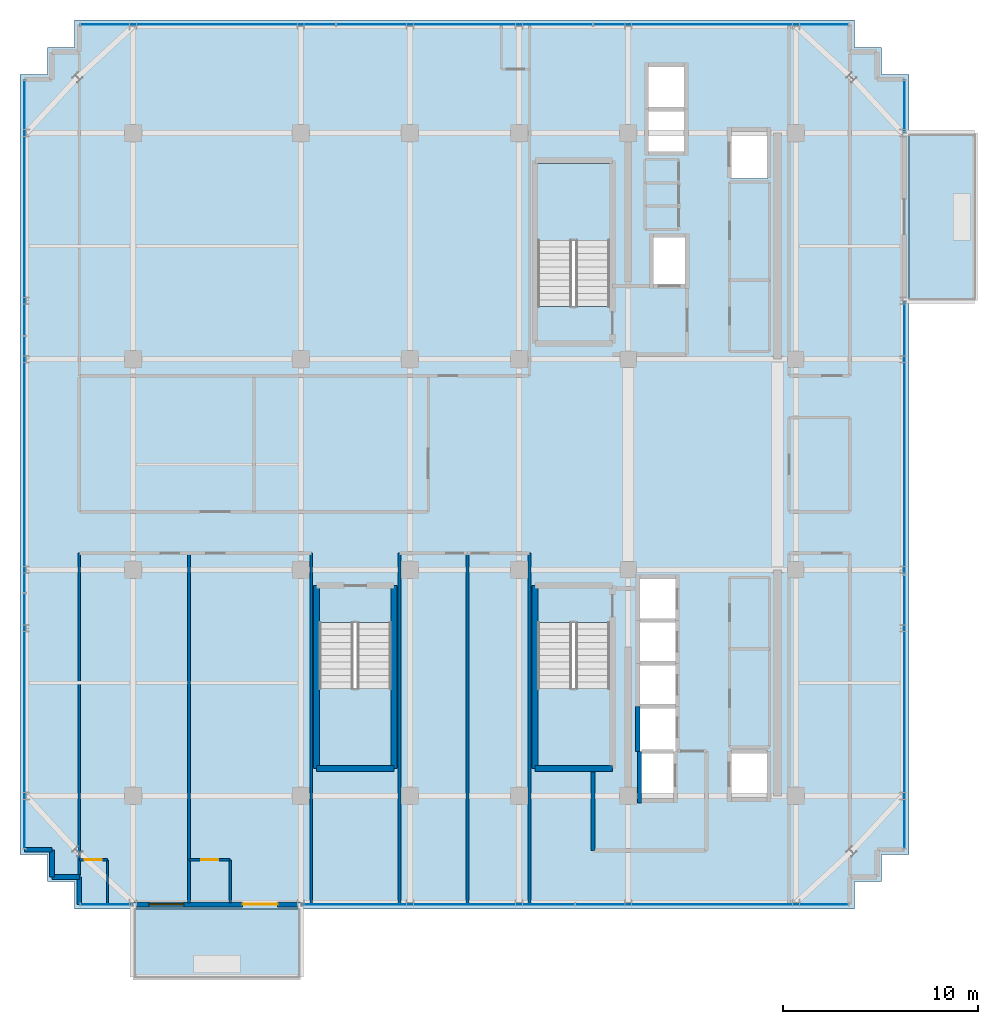
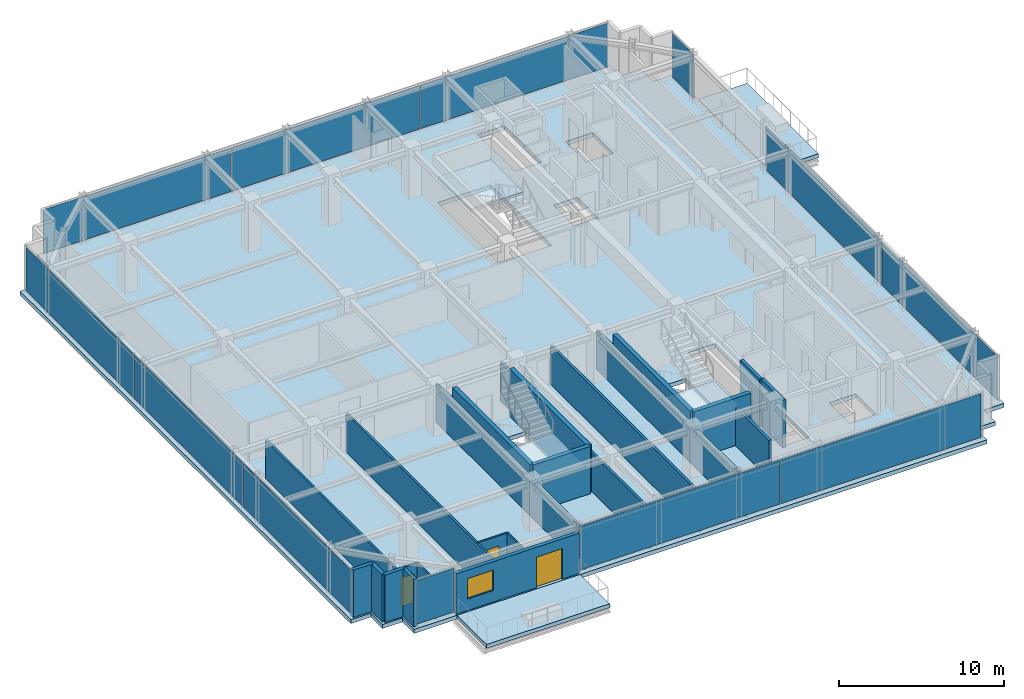
# One storey, part 26 of 33: 23 walls, 12 plates, 6 slabs, 3 doors, 1 window, 4 openings, 9 elements without a shape of their own.
"""IFC4 building model written with IfcOpenShell, lengths in metres."""

from ifc_helpers import new_model, si_unit, direction, frame, frame_2d, origin, origin_2d, place, context, subcontext, project, spatial, polyline, rectangle, outline, extrude, source, transform, mapped, material, layer, layer_set, type_object, element, fill, aggregate, save


model = new_model("IFC4")

# Units and contexts
model_context = context("Model", 3, precision=1e-05, world=origin(), true_north=direction((0.0, 1.0)))
body_context = subcontext(model_context, "Body", "Model", "MODEL_VIEW")
ifc_project = project(units=[si_unit("LENGTHUNIT", "METRE"), si_unit("AREAUNIT", "SQUARE_METRE"), si_unit("VOLUMEUNIT", "CUBIC_METRE"), si_unit("PLANEANGLEUNIT", "RADIAN"), si_unit("MASSUNIT", "GRAM", prefix="KILO")], contexts=[model_context])

# Site, building, storey
site_placement = place(None, origin())
site = spatial("IfcSite", under=ifc_project, at=site_placement, CompositionType="ELEMENT")
building_placement = place(site_placement, origin())
building = spatial("IfcBuilding", under=site, at=building_placement, Name="Nahalor Promenade Grand Hotel", CompositionType="ELEMENT")
storey_placement = place(building_placement, frame((0.0, 0.0, 315.75)))
storey = spatial("IfcBuildingStorey", under=building, at=storey_placement, Name="L81", CompositionType="ELEMENT", Elevation=315.75)

# Stair, slab
ifc_material_1 = material(Name="Concrete B-50 (C40/50)", Category="concrete")
stair_type_1 = type_object("IfcStairType", Name="Stair-ST1", PredefinedType="HALF_TURN_STAIR", material=ifc_material_1)
stair_1_placement = place(storey_placement, origin())
stair_1 = element("IfcStair", 1, at=stair_1_placement, inside=storey, type_object=stair_type_1, Name="L81 ST1", PredefinedType="HALF_TURN_STAIR")
ifc_layer_1 = layer(ifc_material_1, 0.199951171875)
ifc_layer_set_1 = layer_set([ifc_layer_1], Name="Concrete B-50 (C40/50)")
slab_type_1 = type_object("IfcSlabType", Name="Landing-ST1", PredefinedType="LANDING", material=ifc_layer_set_1)
slab_1_placement = place(storey_placement, frame((0.0, 0.0, 1.699951171875)))
slab_1 = element("IfcSlab", 2, at=slab_1_placement, type_object=slab_type_1, Name="ST1 landing 1", PredefinedType="LANDING", context=body_context, shape_type="SweptSolid", body=[
    extrude(outline(polyline([(7.449951171875, 11.5), (7.449951171875, 15.449951171875), (3.75, 15.449951171875), (3.75, 11.5), (7.449951171875, 11.5)])), origin(), (0.0, 0.0, 1.0), 0.199951171875),
])
aggregate(stair_1, [slab_1])

stair_type_2 = type_object("IfcStairType", Name="Stair-ST2", PredefinedType="HALF_TURN_STAIR", material=ifc_material_1)
stair_2_placement = place(storey_placement, origin())
stair_2 = element("IfcStair", 3, at=stair_2_placement, inside=storey, type_object=stair_type_2, Name="L81 ST2", PredefinedType="HALF_TURN_STAIR")
ifc_layer_2 = layer(ifc_material_1, 0.2099609375)
ifc_layer_set_2 = layer_set([ifc_layer_2], Name="Concrete B-50 (C40/50)")
slab_type_2 = type_object("IfcSlabType", Name="Landing-ST2", PredefinedType="LANDING", material=ifc_layer_set_2)
slab_2_placement = place(storey_placement, frame((0.0, 0.0, 1.68994140625)))
slab_2 = element("IfcSlab", 4, at=slab_2_placement, type_object=slab_type_2, Name="ST2 landing 1", PredefinedType="LANDING", context=body_context, shape_type="SweptSolid", body=[
    extrude(outline(polyline([(3.75, -11.5), (3.75, -15.449951171875), (7.449951171875, -15.449951171875), (7.449951171875, -11.5), (3.75, -11.5)])), origin(), (0.0, 0.0, 1.0), 0.2099609375),
])
aggregate(stair_2, [slab_2])

stair_type_3 = type_object("IfcStairType", Name="Stair-ST3", PredefinedType="HALF_TURN_STAIR", material=ifc_material_1)
stair_3_placement = place(storey_placement, origin())
stair_3 = element("IfcStair", 5, at=stair_3_placement, inside=storey, type_object=stair_type_3, Name="L81 ST3", PredefinedType="HALF_TURN_STAIR")
ifc_layer_3 = layer(ifc_material_1, 0.219970703125)
ifc_layer_set_3 = layer_set([ifc_layer_3], Name="Concrete B-50 (C40/50)")
slab_type_3 = type_object("IfcSlabType", Name="Landing-ST3", PredefinedType="LANDING", material=ifc_layer_set_3)
slab_3_placement = place(storey_placement, frame((0.0, 0.0, 1.679931640625)))
slab_3 = element("IfcSlab", 6, at=slab_3_placement, type_object=slab_type_3, Name="ST3 landing 1", PredefinedType="LANDING", context=body_context, shape_type="SweptSolid", body=[
    extrude(outline(polyline([(-7.449951171875, -11.5), (-7.449951171875, -15.449951171875), (-3.75, -15.449951171875), (-3.75, -11.5), (-7.449951171875, -11.5)])), origin(), (0.0, 0.0, 1.0), 0.219970703125),
])
aggregate(stair_3, [slab_3])

# Slabs
ifc_layer_4 = layer(ifc_material_1, 0.280029296875)
ifc_layer_set_4 = layer_set([ifc_layer_4], Name="Concrete B-50 (C40/50)")
slab_type_4 = type_object("IfcSlabType", Name="Slab-Balcony-280", PredefinedType="FLOOR", material=ifc_layer_set_4)
slab_4_placement = place(storey_placement, frame((0.0, 0.0, -0.280029296875)))
element("IfcSlab", 7, at=slab_4_placement, inside=storey, type_object=slab_type_4, Name="L81 Cantilevered Planted Balcony 1", PredefinedType="FLOOR", context=body_context, shape_type="SweptSolid", body=[
    extrude(outline(polyline([(-17.0, -26.3701171875), (-8.39990234375, -26.3701171875), (-8.39990234375, -22.800048828125), (-17.0, -22.800048828125), (-17.0, -26.3701171875)])), origin(), (0.0, 0.0, 1.0), 0.280029296875),
])
slab_5_placement = place(storey_placement, frame((0.0, 0.0, -0.280029296875)))
element("IfcSlab", 8, at=slab_5_placement, inside=storey, type_object=slab_type_4, Name="L81 Cantilevered Planted Balcony 2", PredefinedType="FLOOR", context=body_context, shape_type="SweptSolid", body=[
    extrude(outline(polyline([(22.800048828125, 8.39990234375), (26.25, 8.39990234375), (26.25, 17.0), (22.800048828125, 17.0), (22.800048828125, 8.39990234375)])), origin(), (0.0, 0.0, 1.0), 0.280029296875),
])
ifc_layer_5 = layer(ifc_material_1, 0.300048828125)
ifc_layer_set_5 = layer_set([ifc_layer_5], Name="Concrete B-50 (C40/50)")
slab_type_5 = type_object("IfcSlabType", Name="Slab-TowerZ5-300", PredefinedType="FLOOR", material=ifc_layer_set_5)
slab_6_placement = place(storey_placement, frame((0.0, 0.0, -0.300048828125)))
element("IfcSlab", 9, at=slab_6_placement, inside=storey, type_object=slab_type_5, Name="L81 Suspended Structural Floor Slab", PredefinedType="FLOOR", context=body_context, shape_type="SweptSolid", body=[
    extrude(outline(polyline([(-20.0, -22.800048828125), (20.0, -22.800048828125), (20.0, -21.39990234375), (21.39990234375, -21.39990234375), (21.39990234375, -20.0), (22.800048828125, -20.0), (22.800048828125, 20.0), (21.39990234375, 20.0), (21.39990234375, 21.39990234375), (20.0, 21.39990234375), (20.0, 22.800048828125), (-20.0, 22.800048828125), (-20.0, 21.39990234375), (-21.39990234375, 21.39990234375), (-21.39990234375, 20.0), (-22.800048828125, 20.0), (-22.800048828125, -20.0), (-21.39990234375, -20.0), (-21.39990234375, -21.39990234375), (-20.0, -21.39990234375), (-20.0, -22.800048828125)]), holes=[polyline([(3.75, 8.10009765625), (7.449951171875, 8.10009765625), (7.449951171875, 15.449951171875), (3.75, 15.449951171875), (3.75, 8.10009765625)]), polyline([(3.75, -15.449951171875), (7.449951171875, -15.449951171875), (7.449951171875, -8.10009765625), (3.75, -8.10009765625), (3.75, -15.449951171875)]), polyline([(-7.449951171875, -15.449951171875), (-3.75, -15.449951171875), (-3.75, -8.10009765625), (-7.449951171875, -8.10009765625), (-7.449951171875, -15.449951171875)]), polyline([(8.9599609375, -17.18994140625), (10.840087890625, -17.18994140625), (10.840087890625, -5.81005859375), (8.9599609375, -5.81005859375), (8.9599609375, -17.18994140625)]), polyline([(9.409912109375, 16.010009765625), (11.2900390625, 16.010009765625), (11.2900390625, 20.43994140625), (9.409912109375, 20.43994140625), (9.409912109375, 16.010009765625)]), polyline([(9.659912109375, 9.2099609375), (11.340087890625, 9.2099609375), (11.340087890625, 11.68994140625), (9.659912109375, 11.68994140625), (9.659912109375, 9.2099609375)]), polyline([(13.659912109375, 14.659912109375), (15.5400390625, 14.659912109375), (15.5400390625, 17.139892578125), (13.659912109375, 17.139892578125), (13.659912109375, 14.659912109375)]), polyline([(13.659912109375, -17.139892578125), (15.5400390625, -17.139892578125), (15.5400390625, -14.659912109375), (13.659912109375, -14.659912109375), (13.659912109375, -17.139892578125)])]), origin(), (0.0, 0.0, 1.0), 0.300048828125),
])

# Curtain wall, plate
ifc_material_2 = material(Name="Anodised Bronze Aluminium EN AW-6063 T6", Category="aluminium")
curtain_wall_type = type_object("IfcCurtainWallType", Name="CW2 Typical Hotel Flush Bronze Unitised Curtain Wall", PredefinedType="USERDEFINED", material=ifc_material_2)
curtain_wall_1_placement = place(storey_placement, origin())
curtain_wall_1 = element("IfcCurtainWall", 10, at=curtain_wall_1_placement, inside=storey, type_object=curtain_wall_type, Name="L81 Curtain Wall CW-L81-S-1", ObjectType="UNITISED_CURTAIN_WALL", PredefinedType="USERDEFINED")
ifc_material_3 = material(Name="Low-E Laminated Solar Glass", Category="glass")
ifc_layer_6 = layer(ifc_material_3, 0.028076171875)
ifc_layer_set_6 = layer_set([ifc_layer_6], Name="Low-E Laminated Solar Glass")
plate_type = type_object("IfcPlateType", Name="CWP2 Bronze Low-E Vision IGU 28mm", PredefinedType="CURTAIN_PANEL", material=ifc_layer_set_6)
shared_shape_1 = source(origin(), body_context, "Body", "SweptSolid", [
    extrude(rectangle(XDim=2.6298828125, YDim=0.028076171875, at=origin_2d()), origin(), (0.0, 0.0, 1.0), 3.239990234375),
])
plate_1_placement = place(storey_placement, frame((-18.3798828125, -22.56005859375, 0.1298828125), z_axis=(0.0, 0.0, 1.0), x_axis=(1.0, 0.0, 0.0)))
plate_1 = element("IfcPlate", 11, at=plate_1_placement, type_object=plate_type, Name="CW-L81-S-1 Glazing Panel 0-0", PredefinedType="CURTAIN_PANEL", context=body_context, shape_type="MappedRepresentation", body=[
    mapped(shared_shape_1, transform((0.0, 0.0, 0.0), scale=1.0)),
])
aggregate(curtain_wall_1, [plate_1])

curtain_wall_2_placement = place(storey_placement, origin())
curtain_wall_2 = element("IfcCurtainWall", 12, at=curtain_wall_2_placement, inside=storey, type_object=curtain_wall_type, Name="L81 Curtain Wall CW-L81-E-3", ObjectType="UNITISED_CURTAIN_WALL", PredefinedType="USERDEFINED")
plate_2_placement = place(storey_placement, frame((22.56005859375, 18.3798828125, 0.1298828125), z_axis=(0.0, 0.0, 1.0), x_axis=(0.0, 1.0, 0.0)))
plate_2 = element("IfcPlate", 13, at=plate_2_placement, type_object=plate_type, Name="CW-L81-E-3 Glazing Panel 0-0", PredefinedType="CURTAIN_PANEL", context=body_context, shape_type="MappedRepresentation", body=[
    mapped(shared_shape_1, transform((0.0, 0.0, 0.0), scale=1.0)),
])
aggregate(curtain_wall_2, [plate_2])

# Curtain wall, plates
curtain_wall_3_placement = place(storey_placement, origin())
curtain_wall_3 = element("IfcCurtainWall", 14, at=curtain_wall_3_placement, inside=storey, type_object=curtain_wall_type, Name="L81 Curtain Wall CW-L81-S-3", ObjectType="UNITISED_CURTAIN_WALL", PredefinedType="USERDEFINED")
shared_shape_2 = source(origin(), body_context, "Body", "SweptSolid", [
    extrude(rectangle(XDim=13.982421875, YDim=0.028076171875, at=origin_2d()), origin(), (0.0, 0.0, 1.0), 3.239990234375),
])
plate_3_placement = place(storey_placement, frame((-1.34375, -22.56005859375, 0.1298828125), z_axis=(0.0, 0.0, 1.0), x_axis=(1.0, 0.0, 0.0)))
plate_3 = element("IfcPlate", 15, at=plate_3_placement, type_object=plate_type, Name="CW-L81-S-3 Glazing Panel 0-0", PredefinedType="CURTAIN_PANEL", context=body_context, shape_type="MappedRepresentation", body=[
    mapped(shared_shape_2, transform((0.0, 0.0, 0.0), scale=1.0)),
])
plate_4_placement = place(storey_placement, frame((12.703857421875, -22.56005859375, 0.1298828125), z_axis=(0.0, 0.0, 1.0), x_axis=(1.0, 0.0, 0.0)))
plate_4 = element("IfcPlate", 16, at=plate_4_placement, type_object=plate_type, Name="CW-L81-S-3 Glazing Panel 1-0", PredefinedType="CURTAIN_PANEL", context=body_context, shape_type="MappedRepresentation", body=[
    mapped(shared_shape_2, transform((0.0, 0.0, 0.0), scale=1.0)),
])
aggregate(curtain_wall_3, [plate_3, plate_4])

curtain_wall_4_placement = place(storey_placement, origin())
curtain_wall_4 = element("IfcCurtainWall", 17, at=curtain_wall_4_placement, inside=storey, type_object=curtain_wall_type, Name="L81 Curtain Wall CW-L81-E-1", ObjectType="UNITISED_CURTAIN_WALL", PredefinedType="USERDEFINED")
plate_5_placement = place(storey_placement, frame((22.56005859375, -12.703857421875, 0.1298828125), z_axis=(0.0, 0.0, 1.0), x_axis=(0.0, 1.0, 0.0)))
plate_5 = element("IfcPlate", 18, at=plate_5_placement, type_object=plate_type, Name="CW-L81-E-1 Glazing Panel 0-0", PredefinedType="CURTAIN_PANEL", context=body_context, shape_type="MappedRepresentation", body=[
    mapped(shared_shape_2, transform((0.0, 0.0, 0.0), scale=1.0)),
])
plate_6_placement = place(storey_placement, frame((22.56005859375, 1.34375, 0.1298828125), z_axis=(0.0, 0.0, 1.0), x_axis=(0.0, 1.0, 0.0)))
plate_6 = element("IfcPlate", 19, at=plate_6_placement, type_object=plate_type, Name="CW-L81-E-1 Glazing Panel 1-0", PredefinedType="CURTAIN_PANEL", context=body_context, shape_type="MappedRepresentation", body=[
    mapped(shared_shape_2, transform((0.0, 0.0, 0.0), scale=1.0)),
])
aggregate(curtain_wall_4, [plate_5, plate_6])

curtain_wall_5_placement = place(storey_placement, origin())
curtain_wall_5 = element("IfcCurtainWall", 20, at=curtain_wall_5_placement, inside=storey, type_object=curtain_wall_type, Name="L81 Curtain Wall CW-L81-N-1", ObjectType="UNITISED_CURTAIN_WALL", PredefinedType="USERDEFINED")
shared_shape_3 = source(origin(), body_context, "Body", "SweptSolid", [
    extrude(rectangle(XDim=13.075927734375, YDim=0.028076171875, at=origin_2d()), origin(), (0.0, 0.0, 1.0), 3.239990234375),
])
plate_7_placement = place(storey_placement, frame((-13.156982421875, 22.56005859375, 0.1298828125), z_axis=(0.0, 0.0, 1.0), x_axis=(1.0, 0.0, 0.0)))
plate_7 = element("IfcPlate", 21, at=plate_7_placement, type_object=plate_type, Name="CW-L81-N-1 Glazing Panel 0-0", PredefinedType="CURTAIN_PANEL", context=body_context, shape_type="MappedRepresentation", body=[
    mapped(shared_shape_3, transform((0.0, 0.0, 0.0), scale=1.0)),
])
plate_8_placement = place(storey_placement, frame((13.156982421875, 22.56005859375, 0.1298828125), z_axis=(0.0, 0.0, 1.0), x_axis=(1.0, 0.0, 0.0)))
plate_8 = element("IfcPlate", 22, at=plate_8_placement, type_object=plate_type, Name="CW-L81-N-1 Glazing Panel 2-0", PredefinedType="CURTAIN_PANEL", context=body_context, shape_type="MappedRepresentation", body=[
    mapped(shared_shape_3, transform((0.0, 0.0, 0.0), scale=1.0)),
])

curtain_wall_6_placement = place(storey_placement, origin())
curtain_wall_6 = element("IfcCurtainWall", 23, at=curtain_wall_6_placement, inside=storey, type_object=curtain_wall_type, Name="L81 Curtain Wall CW-L81-W-1", ObjectType="UNITISED_CURTAIN_WALL", PredefinedType="USERDEFINED")
plate_9_placement = place(storey_placement, frame((-22.56005859375, -13.156982421875, 0.1298828125), z_axis=(0.0, 0.0, 1.0), x_axis=(0.0, 1.0, 0.0)))
plate_9 = element("IfcPlate", 24, at=plate_9_placement, type_object=plate_type, Name="CW-L81-W-1 Glazing Panel 0-0", PredefinedType="CURTAIN_PANEL", context=body_context, shape_type="MappedRepresentation", body=[
    mapped(shared_shape_3, transform((0.0, 0.0, 0.0), scale=1.0)),
])
plate_10_placement = place(storey_placement, frame((-22.56005859375, 13.156982421875, 0.1298828125), z_axis=(0.0, 0.0, 1.0), x_axis=(0.0, 1.0, 0.0)))
plate_10 = element("IfcPlate", 25, at=plate_10_placement, type_object=plate_type, Name="CW-L81-W-1 Glazing Panel 2-0", PredefinedType="CURTAIN_PANEL", context=body_context, shape_type="MappedRepresentation", body=[
    mapped(shared_shape_3, transform((0.0, 0.0, 0.0), scale=1.0)),
])

# Plate
shared_shape_4 = source(origin(), body_context, "Body", "SweptSolid", [
    extrude(rectangle(XDim=13.1083984375, YDim=0.028076171875, at=origin_2d()), origin(), (0.0, 0.0, 1.0), 3.239990234375),
])
plate_11_placement = place(storey_placement, frame((0.0, 22.56005859375, 0.1298828125), z_axis=(0.0, 0.0, 1.0), x_axis=(1.0, 0.0, 0.0)))
plate_11 = element("IfcPlate", 26, at=plate_11_placement, type_object=plate_type, Name="CW-L81-N-1 Glazing Panel 1-0", PredefinedType="CURTAIN_PANEL", context=body_context, shape_type="MappedRepresentation", body=[
    mapped(shared_shape_4, transform((0.0, 0.0, 0.0), scale=1.0)),
])

aggregate(curtain_wall_5, [plate_7, plate_11, plate_8])

plate_12_placement = place(storey_placement, frame((-22.56005859375, 0.0, 0.1298828125), z_axis=(0.0, 0.0, 1.0), x_axis=(0.0, 1.0, 0.0)))
plate_12 = element("IfcPlate", 27, at=plate_12_placement, type_object=plate_type, Name="CW-L81-W-1 Glazing Panel 1-0", PredefinedType="CURTAIN_PANEL", context=body_context, shape_type="MappedRepresentation", body=[
    mapped(shared_shape_4, transform((0.0, 0.0, 0.0), scale=1.0)),
])

aggregate(curtain_wall_6, [plate_9, plate_12, plate_10])

# Walls
ifc_layer_7 = layer(ifc_material_1, 0.300048828125)
ifc_layer_set_7 = layer_set([ifc_layer_7], Name="Concrete B-50 (C40/50)")
wall_type_1 = type_object("IfcWallType", Name="Wall-ShaftShear-300", PredefinedType="SHEAR", material=ifc_layer_set_7)
shared_shape_5 = source(origin(), body_context, "Body", "SweptSolid", [
    extrude(rectangle(XDim=3.97998046875, YDim=0.300048828125, at=frame_2d((1.989990234375, 0.0))), origin(), (0.0, 0.0, 1.0), 3.5),
])
for number, where, z_axis, x_axis, name in (
    (28, (3.610107421875, -15.590087890625, 0.0), (0.0, 0.0, 1.0), (1.0, 0.0, 0.0), "L81 Exit Stair ST2 Shaft Wall S"),
    (29, (-7.590087890625, -15.590087890625, 0.0), (0.0, 0.0, 1.0), (1.0, 0.0, 0.0), "L81 Exit Stair ST3 Shaft Wall S"),
):
    element("IfcWall", number, at=place(storey_placement, frame(where, z_axis=z_axis, x_axis=x_axis)), inside=storey, type_object=wall_type_1, Name=name, PredefinedType="SHEAR", context=body_context, shape_type="MappedRepresentation", body=[
        mapped(shared_shape_5, transform((0.0, 0.0, 0.0), scale=1.0)),
    ])
shared_shape_6 = source(origin(), body_context, "Body", "SweptSolid", [
    extrude(rectangle(XDim=9.380126953125, YDim=0.300048828125, at=frame_2d((4.68994140625, 0.0))), origin(), (0.0, 0.0, 1.0), 3.5),
])
for number, where, z_axis, x_axis, name in (
    (30, (3.610107421875, -15.590087890625, 0.0), (0.0, 0.0, 1.0), (0.0, 1.0, 0.0), "L81 Exit Stair ST2 Shaft Wall W"),
    (31, (-7.590087890625, -15.590087890625, 0.0), (0.0, 0.0, 1.0), (0.0, 1.0, 0.0), "L81 Exit Stair ST3 Shaft Wall W"),
    (32, (-3.610107421875, -15.590087890625, 0.0), (0.0, 0.0, 1.0), (0.0, 1.0, 0.0), "L81 Exit Stair ST3 Shaft Wall E"),
):
    element("IfcWall", number, at=place(storey_placement, frame(where, z_axis=z_axis, x_axis=x_axis)), inside=storey, type_object=wall_type_1, Name=name, PredefinedType="SHEAR", context=body_context, shape_type="MappedRepresentation", body=[
        mapped(shared_shape_6, transform((0.0, 0.0, 0.0), scale=1.0)),
    ])
ifc_layer_8 = layer(ifc_material_1, 0.219970703125)
ifc_layer_set_8 = layer_set([ifc_layer_8], Name="Concrete B-50 (C40/50)")
wall_type_2 = type_object("IfcWallType", Name="Wall-LiftShaft-220", PredefinedType="SHEAR", material=ifc_layer_set_8)
shared_shape_7 = source(origin(), body_context, "Body", "SweptSolid", [
    extrude(rectangle(XDim=2.3251953125, YDim=0.219970703125, at=frame_2d((1.16259765625, 0.0))), origin(), (0.0, 0.0, 1.0), 3.5),
])
wall_1_placement = place(storey_placement, frame((8.8798828125, -14.72509765625, 0.0), z_axis=(0.0, 0.0, 1.0), x_axis=(0.0, 1.0, 0.0)))
element("IfcWall", 33, at=wall_1_placement, inside=storey, type_object=wall_type_2, Name="L81 Lift PL12 Hoistway Wall W", PredefinedType="SHEAR", context=body_context, shape_type="MappedRepresentation", body=[
    mapped(shared_shape_7, transform((0.0, 0.0, 0.0), scale=1.0)),
])
shared_shape_8 = source(origin(), body_context, "Body", "SweptSolid", [
    extrude(rectangle(XDim=2.635009765625, YDim=0.219970703125, at=frame_2d((1.3173828125, 0.0))), origin(), (0.0, 0.0, 1.0), 3.5),
])
wall_2_placement = place(storey_placement, frame((8.97998046875, -17.360107421875, 0.0), z_axis=(0.0, 0.0, 1.0), x_axis=(0.0, 1.0, 0.0)))
element("IfcWall", 34, at=wall_2_placement, inside=storey, type_object=wall_type_2, Name="L81 Lift FL2 Hoistway Wall W", PredefinedType="SHEAR", context=body_context, shape_type="MappedRepresentation", body=[
    mapped(shared_shape_8, transform((0.0, 0.0, 0.0), scale=1.0)),
])
ifc_material_4 = material(Name="Concrete B-40 (C32/40)", Category="concrete")
ifc_layer_9 = layer(ifc_material_4, 0.25)
ifc_layer_set_9 = layer_set([ifc_layer_9], Name="Concrete B-40 (C32/40)")
wall_type_3 = type_object("IfcWallType", Name="Wall-BronzePier-250", PredefinedType="STANDARD", material=ifc_layer_set_9)
shared_shape_9 = source(origin(), body_context, "Body", "SweptSolid", [
    extrude(rectangle(XDim=1.400146484375, YDim=0.25, at=frame_2d((0.7001953125, 0.0))), origin(), (0.0, 0.0, 1.0), 3.5),
])
for number, where, z_axis, x_axis, name in (
    (35, (-22.56005859375, -19.760009765625, 0.0), (0.0, 0.0, 1.0), (1.0, 0.0, 0.0), "W-L81-SR-13"),
    (36, (-19.760009765625, -22.56005859375, 0.0), (0.0, 0.0, 1.0), (0.0, 1.0, 0.0), "W-L81-SR-16"),
):
    element("IfcWall", number, at=place(storey_placement, frame(where, z_axis=z_axis, x_axis=x_axis)), inside=storey, type_object=wall_type_3, Name=name, PredefinedType="STANDARD", context=body_context, shape_type="MappedRepresentation", body=[
        mapped(shared_shape_9, transform((0.0, 0.0, 0.0), scale=1.0)),
    ])
shared_shape_10 = source(origin(), body_context, "Body", "SweptSolid", [
    extrude(rectangle(XDim=1.39990234375, YDim=0.25, at=frame_2d((0.699951171875, 0.0))), origin(), (0.0, 0.0, 1.0), 3.5),
])
for number, where, z_axis, x_axis, name in (
    (37, (-21.159912109375, -21.159912109375, 0.0), (0.0, 0.0, 1.0), (0.0, 1.0, 0.0), "W-L81-SR-14"),
    (38, (-21.159912109375, -21.159912109375, 0.0), (0.0, 0.0, 1.0), (1.0, 0.0, 0.0), "W-L81-SR-15"),
):
    element("IfcWall", number, at=place(storey_placement, frame(where, z_axis=z_axis, x_axis=x_axis)), inside=storey, type_object=wall_type_3, Name=name, PredefinedType="STANDARD", context=body_context, shape_type="MappedRepresentation", body=[
        mapped(shared_shape_10, transform((0.0, 0.0, 0.0), scale=1.0)),
    ])

# Wall, openings, door, window
ifc_layer_10 = layer(ifc_material_4, 0.260009765625)
ifc_layer_set_10 = layer_set([ifc_layer_10], Name="Concrete B-40 (C32/40)")
wall_type_4 = type_object("IfcWallType", Name="Wall-BalconyWall-260", PredefinedType="STANDARD", material=ifc_layer_set_10)
shared_shape_11 = source(origin(), body_context, "Body", "SweptSolid", [
    extrude(rectangle(XDim=8.60009765625, YDim=0.260009765625, at=frame_2d((4.300048828125, 0.0))), origin(), (0.0, 0.0, 1.0), 2.97998046875),
])
wall_3_placement = place(storey_placement, frame((-17.0, -22.56005859375, 0.0), z_axis=(0.0, 0.0, 1.0), x_axis=(1.0, 0.0, 0.0)))
wall_3 = element("IfcWall", 39, at=wall_3_placement, inside=storey, type_object=wall_type_4, Name="W-L81-BALC-S-2", PredefinedType="STANDARD", context=body_context, shape_type="MappedRepresentation", body=[
    mapped(shared_shape_11, transform((0.0, 0.0, 0.0), scale=1.0)),
])
opening_1_placement = place(wall_3_placement, frame((5.614990234375, 0.0, 0.0)))
opening_1 = element("IfcOpeningElement", 40, at=opening_1_placement, cuts=wall_3, Name="Opening D-BC1", PredefinedType="OPENING", context=body_context, shape_type="SweptSolid", body=[
    extrude(rectangle(XDim=1.800048828125, YDim=2.25, at=frame_2d((0.89990234375, 1.125))), frame((0.0, 0.139892578125, 0.0), z_axis=(0.0, -1.0, 0.0), x_axis=(1.0, 0.0, 0.0)), (0.0, 0.0, 1.0), 0.280029296875),
])
opening_2_placement = place(wall_3_placement, frame((0.81005859375, 0.0, 0.85009765625)))
opening_2 = element("IfcOpeningElement", 41, at=opening_2_placement, cuts=wall_3, Name="Opening WN-01", PredefinedType="OPENING", context=body_context, shape_type="SweptSolid", body=[
    extrude(rectangle(XDim=1.800048828125, YDim=1.5, at=frame_2d((0.89990234375, 0.75))), frame((0.0, 0.139892578125, 0.0), z_axis=(0.0, -1.0, 0.0), x_axis=(1.0, 0.0, 0.0)), (0.0, 0.0, 1.0), 0.280029296875),
])
door_type_1 = type_object("IfcDoorType", Name="Door-BalconySlide-1800", OperationType="DOUBLE_DOOR_SLIDING", PredefinedType="DOOR", material=ifc_material_2)
shared_shape_12 = source(origin(), body_context, "Body", "SweptSolid", [
    extrude(rectangle(XDim=1.800048828125, YDim=2.25, at=frame_2d((0.89990234375, 1.125))), frame((0.0, 0.02490234375, 0.0), z_axis=(0.0, -1.0, 0.0), x_axis=(1.0, 0.0, 0.0)), (0.0, 0.0, 1.0), 0.050048828125),
])
door_1_placement = place(opening_1_placement, frame((1.800048828125, 0.0, 0.0), z_axis=(0.0, 0.0, 1.0), x_axis=(-1.0, 0.0, 0.0)))
door_1 = element("IfcDoor", 42, at=door_1_placement, inside=storey, type_object=door_type_1, Name="DR-L81-BALC-S-2", OperationType="DOUBLE_DOOR_SLIDING", OverallHeight=2.25, OverallWidth=1.800048828125, PredefinedType="DOOR", context=body_context, shape_type="MappedRepresentation", body=[
    mapped(shared_shape_12, transform((0.0, 0.0, 0.0), scale=1.0)),
])
fill(opening_1, door_1)
window_type = type_object("IfcWindowType", Name="Win-ChicagoBay-1800x1500", PartitioningType="SINGLE_PANEL", PredefinedType="WINDOW", material=ifc_material_3)
shared_shape_13 = source(origin(), body_context, "Body", "SweptSolid", [
    extrude(rectangle(XDim=1.800048828125, YDim=1.5, at=frame_2d((0.89990234375, 0.75))), frame((0.0, 0.030029296875, 0.0), z_axis=(0.0, -1.0, 0.0), x_axis=(1.0, 0.0, 0.0)), (0.0, 0.0, 1.0), 0.06005859375),
])
window_placement = place(opening_2_placement, origin())
window = element("IfcWindow", 43, at=window_placement, inside=storey, type_object=window_type, Name="WN-L81-BALC-S-2-1", OverallHeight=1.5, OverallWidth=1.800048828125, PartitioningType="SINGLE_PANEL", PredefinedType="WINDOW", context=body_context, shape_type="MappedRepresentation", body=[
    mapped(shared_shape_13, transform((0.0, 0.0, 0.0), scale=1.0)),
])
fill(opening_2, window)

# Walls
ifc_layer_11 = layer(ifc_material_4, 0.199951171875)
ifc_layer_set_11 = layer_set([ifc_layer_11], Name="Concrete B-40 (C32/40)")
wall_type_5 = type_object("IfcWallType", Name="Wall-PartFire-200", PredefinedType="PARTITIONING", material=ifc_layer_set_11)
shared_shape_14 = source(origin(), body_context, "Body", "SweptSolid", [
    extrude(rectangle(XDim=4.030029296875, YDim=0.199951171875, at=frame_2d((2.01513671875, 0.0))), origin(), (0.0, 0.0, 1.0), 2.840087890625),
])
wall_4_placement = place(storey_placement, frame((6.60009765625, -19.800048828125, 0.0), z_axis=(0.0, 0.0, 1.0), x_axis=(0.0, 1.0, 0.0)))
element("IfcWall", 44, at=wall_4_placement, inside=storey, type_object=wall_type_5, Name="W-L81-FF2-W1", PredefinedType="PARTITIONING", context=body_context, shape_type="MappedRepresentation", body=[
    mapped(shared_shape_14, transform((0.0, 0.0, 0.0), scale=1.0)),
])
ifc_material_5 = material(Name="Acoustic Mineral Gypsum", Category="gypsum")
ifc_layer_12 = layer(ifc_material_5, 0.159912109375)
ifc_layer_set_12 = layer_set([ifc_layer_12], Name="Acoustic Mineral Gypsum")
wall_type_6 = type_object("IfcWallType", Name="Wall-PartCorridor-160", PredefinedType="PARTITIONING", material=ifc_layer_set_12)
shared_shape_15 = source(origin(), body_context, "Body", "SweptSolid", [
    extrude(rectangle(XDim=17.949951171875, YDim=0.159912109375, at=frame_2d((8.97509765625, 0.0))), origin(), (0.0, 0.0, 1.0), 2.840087890625),
])
for number, where, z_axis, x_axis, name in (
    (45, (-3.340087890625, -22.5, 0.0), (0.0, 0.0, 1.0), (0.0, 1.0, 0.0), "W-L81-SCB1-W"),
    (46, (0.14990234375, -22.5, 0.0), (0.0, 0.0, 1.0), (0.0, 1.0, 0.0), "W-L81-SCB1-E"),
    (47, (3.340087890625, -22.5, 0.0), (0.0, 0.0, 1.0), (0.0, 1.0, 0.0), "W-L81-SCB2-E"),
):
    element("IfcWall", number, at=place(storey_placement, frame(where, z_axis=z_axis, x_axis=x_axis)), inside=storey, type_object=wall_type_6, Name=name, PredefinedType="PARTITIONING", context=body_context, shape_type="MappedRepresentation", body=[
        mapped(shared_shape_15, transform((0.0, 0.0, 0.0), scale=1.0)),
    ])
ifc_layer_13 = layer(ifc_material_5, 0.139892578125)
ifc_layer_set_13 = layer_set([ifc_layer_13], Name="Acoustic Mineral Gypsum")
wall_type_7 = type_object("IfcWallType", Name="Wall-PartSuite-140", PredefinedType="PARTITIONING", material=ifc_layer_set_13)
shared_shape_16 = source(origin(), body_context, "Body", "SweptSolid", [
    extrude(rectangle(XDim=16.530029296875, YDim=0.139892578125, at=frame_2d((8.26513671875, 0.0))), origin(), (0.0, 0.0, 1.0), 2.840087890625),
])
wall_5_placement = place(storey_placement, frame((-19.760009765625, -21.080078125, 0.0), z_axis=(0.0, 0.0, 1.0), x_axis=(0.0, 1.0, 0.0)))
element("IfcWall", 48, at=wall_5_placement, inside=storey, type_object=wall_type_7, Name="W-L81-SW-ENDW", PredefinedType="PARTITIONING", context=body_context, shape_type="MappedRepresentation", body=[
    mapped(shared_shape_16, transform((0.0, 0.0, 0.0), scale=1.0)),
])
shared_shape_17 = source(origin(), body_context, "Body", "SweptSolid", [
    extrude(rectangle(XDim=17.949951171875, YDim=0.139892578125, at=frame_2d((8.97509765625, 0.0))), origin(), (0.0, 0.0, 1.0), 2.840087890625),
])
for number, where, z_axis, x_axis, name in (
    (49, (-7.860107421875, -22.5, 0.0), (0.0, 0.0, 1.0), (0.0, 1.0, 0.0), "W-L81-SW-ENDE"),
    (50, (-14.1298828125, -22.5, 0.0), (0.0, 0.0, 1.0), (0.0, 1.0, 0.0), "W-L81-SP-1"),
):
    element("IfcWall", number, at=place(storey_placement, frame(where, z_axis=z_axis, x_axis=x_axis)), inside=storey, type_object=wall_type_7, Name=name, PredefinedType="PARTITIONING", context=body_context, shape_type="MappedRepresentation", body=[
        mapped(shared_shape_17, transform((0.0, 0.0, 0.0), scale=1.0)),
    ])
ifc_layer_14 = layer(ifc_material_5, 0.1201171875)
ifc_layer_set_14 = layer_set([ifc_layer_14], Name="Acoustic Mineral Gypsum")
wall_type_8 = type_object("IfcWallType", Name="Wall-PartBath-120", PredefinedType="PARTITIONING", material=ifc_layer_set_14)
shared_shape_18 = source(origin(), body_context, "Body", "SweptSolid", [
    extrude(rectangle(XDim=2.219970703125, YDim=0.1201171875, at=frame_2d((1.10986328125, 0.0))), origin(), (0.0, 0.0, 1.0), 2.840087890625),
])
for number, where, z_axis, x_axis, name in (
    (51, (-18.31005859375, -22.5, 0.0), (0.0, 0.0, 1.0), (0.0, 1.0, 0.0), "W-L81-S1-BV"),
    (52, (-12.02001953125, -22.5, 0.0), (0.0, 0.0, 1.0), (0.0, 1.0, 0.0), "W-L81-S2-BV"),
):
    element("IfcWall", number, at=place(storey_placement, frame(where, z_axis=z_axis, x_axis=x_axis)), inside=storey, type_object=wall_type_8, Name=name, PredefinedType="PARTITIONING", context=body_context, shape_type="MappedRepresentation", body=[
        mapped(shared_shape_18, transform((0.0, 0.0, 0.0), scale=1.0)),
    ])

# Wall, opening, door
shared_shape_19 = source(origin(), body_context, "Body", "SweptSolid", [
    extrude(rectangle(XDim=1.449951171875, YDim=0.1201171875, at=frame_2d((0.72509765625, 0.0))), origin(), (0.0, 0.0, 1.0), 2.840087890625),
])
wall_6_placement = place(storey_placement, frame((-19.760009765625, -20.280029296875, 0.0), z_axis=(0.0, 0.0, 1.0), x_axis=(1.0, 0.0, 0.0)))
wall_6 = element("IfcWall", 53, at=wall_6_placement, inside=storey, type_object=wall_type_8, Name="W-L81-S1-BH", PredefinedType="PARTITIONING", context=body_context, shape_type="MappedRepresentation", body=[
    mapped(shared_shape_19, transform((0.0, 0.0, 0.0), scale=1.0)),
])
opening_3_placement = place(wall_6_placement, frame((0.284912109375, 0.0, 0.0)))
opening_3 = element("IfcOpeningElement", 54, at=opening_3_placement, cuts=wall_6, Name="Opening D-03", PredefinedType="OPENING", context=body_context, shape_type="SweptSolid", body=[
    extrude(rectangle(XDim=0.8798828125, YDim=2.10009765625, at=frame_2d((0.43994140625, 1.050048828125))), frame((0.0, 0.070068359375, 0.0), z_axis=(0.0, -1.0, 0.0), x_axis=(1.0, 0.0, 0.0)), (0.0, 0.0, 1.0), 0.14013671875),
])
ifc_material_6 = material(Name="Fire-Rated Timber Composite", Category="wood")
door_type_2 = type_object("IfcDoorType", Name="Door-BathSwing-880", OperationType="NOTDEFINED", PredefinedType="DOOR", material=ifc_material_6)
shared_shape_20 = source(origin(), body_context, "Body", "SweptSolid", [
    extrude(rectangle(XDim=0.8798828125, YDim=2.10009765625, at=frame_2d((0.43994140625, 1.050048828125))), frame((0.0, 0.02490234375, 0.0), z_axis=(0.0, -1.0, 0.0), x_axis=(1.0, 0.0, 0.0)), (0.0, 0.0, 1.0), 0.050048828125),
])
door_2_placement = place(opening_3_placement, frame((0.8798828125, 0.0, 0.0), z_axis=(0.0, 0.0, 1.0), x_axis=(-1.0, 0.0, 0.0)))
door_2 = element("IfcDoor", 55, at=door_2_placement, inside=storey, type_object=door_type_2, Name="DR-L81-S1-BATH", OperationType="SINGLE_SWING_LEFT", OverallHeight=2.10009765625, OverallWidth=0.8798828125, PredefinedType="DOOR", context=body_context, shape_type="MappedRepresentation", body=[
    mapped(shared_shape_20, transform((0.0, 0.0, 0.0), scale=1.0)),
])
fill(opening_3, door_2)

shared_shape_21 = source(origin(), body_context, "Body", "SweptSolid", [
    extrude(rectangle(XDim=2.10986328125, YDim=0.1201171875, at=frame_2d((1.054931640625, 0.0))), origin(), (0.0, 0.0, 1.0), 2.840087890625),
])
wall_7_placement = place(storey_placement, frame((-14.1298828125, -20.280029296875, 0.0), z_axis=(0.0, 0.0, 1.0), x_axis=(1.0, 0.0, 0.0)))
wall_7 = element("IfcWall", 56, at=wall_7_placement, inside=storey, type_object=wall_type_8, Name="W-L81-S2-BH", PredefinedType="PARTITIONING", context=body_context, shape_type="MappedRepresentation", body=[
    mapped(shared_shape_21, transform((0.0, 0.0, 0.0), scale=1.0)),
])
opening_4_placement = place(wall_7_placement, frame((0.614990234375, 0.0, 0.0)))
opening_4 = element("IfcOpeningElement", 57, at=opening_4_placement, cuts=wall_7, Name="Opening D-03", PredefinedType="OPENING", context=body_context, shape_type="SweptSolid", body=[
    extrude(rectangle(XDim=0.8798828125, YDim=2.10009765625, at=frame_2d((0.43994140625, 1.050048828125))), frame((0.0, 0.070068359375, 0.0), z_axis=(0.0, -1.0, 0.0), x_axis=(1.0, 0.0, 0.0)), (0.0, 0.0, 1.0), 0.14013671875),
])
door_3_placement = place(opening_4_placement, frame((0.8798828125, 0.0, 0.0), z_axis=(0.0, 0.0, 1.0), x_axis=(-1.0, 0.0, 0.0)))
door_3 = element("IfcDoor", 58, at=door_3_placement, inside=storey, type_object=door_type_2, Name="DR-L81-S2-BATH", OperationType="SINGLE_SWING_LEFT", OverallHeight=2.10009765625, OverallWidth=0.8798828125, PredefinedType="DOOR", context=body_context, shape_type="MappedRepresentation", body=[
    mapped(shared_shape_20, transform((0.0, 0.0, 0.0), scale=1.0)),
])
fill(opening_4, door_3)

save(model, "model.ifc")
